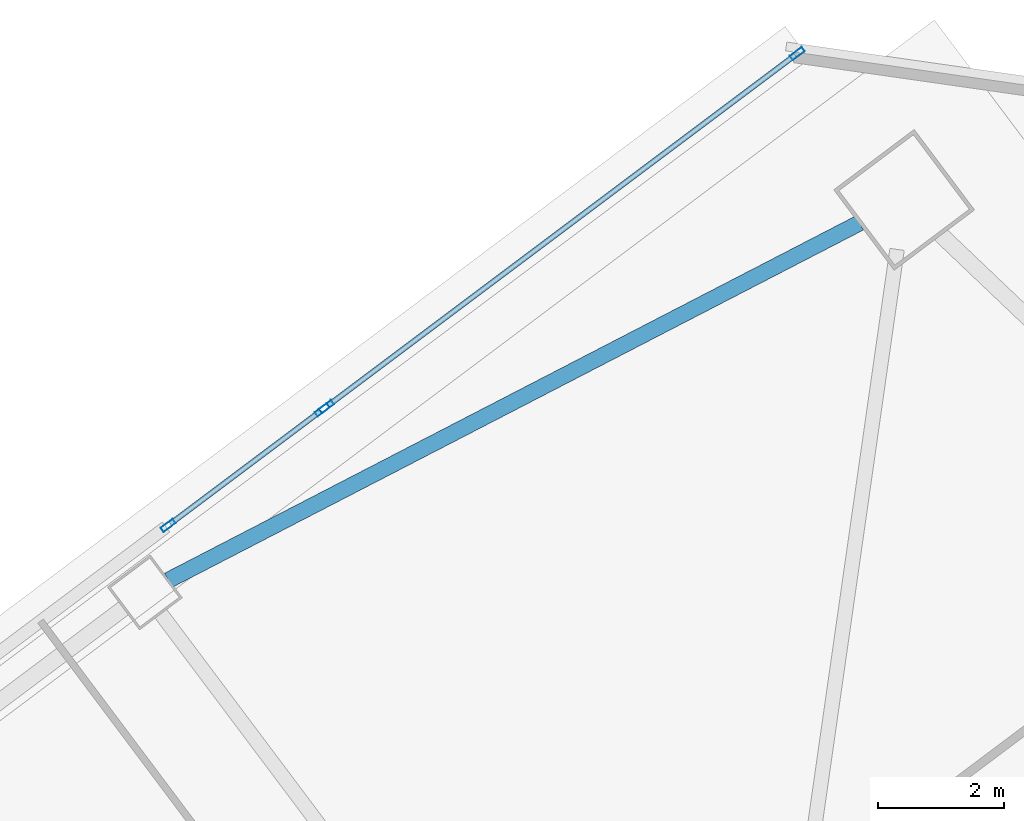
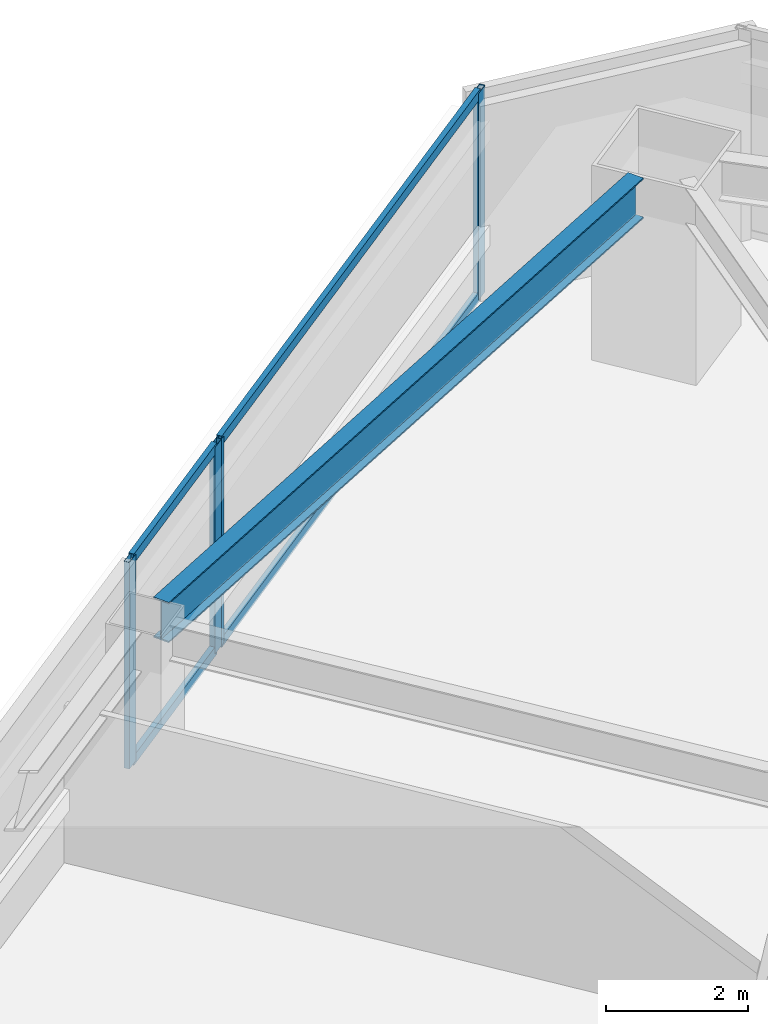
# One storey, part 37 of 62: 8 members, 1 beam, 2 elements without a shape of their own.
"""IFC4 building model written with IfcOpenShell, lengths in metres."""

from ifc_helpers import new_model, si_unit, direction, frame, origin, origin_2d, place, context, subcontext, project, spatial, hollow_rectangle, i_section, extrude, material, material_profile, profile_set, type_object, element, aggregate, save


model = new_model("IFC4")

# Units and contexts
model_context = context("Model", 3, precision=1e-05, world=origin(), true_north=direction((0.0, 1.0)))
body_context = subcontext(model_context, "Body", "Model", "MODEL_VIEW")
ifc_project = project(units=[si_unit("LENGTHUNIT", "METRE"), si_unit("AREAUNIT", "SQUARE_METRE"), si_unit("VOLUMEUNIT", "CUBIC_METRE"), si_unit("PLANEANGLEUNIT", "RADIAN"), si_unit("MASSUNIT", "GRAM", prefix="KILO")], contexts=[model_context])

# Site, building, storey
site_placement = place(None, origin())
site = spatial("IfcSite", under=ifc_project, at=site_placement, CompositionType="ELEMENT")
building_placement = place(site_placement, origin())
building = spatial("IfcBuilding", under=site, at=building_placement, Name="Tashvorn Skyway Center", CompositionType="ELEMENT")
storey_placement = place(building_placement, frame((0.0, 0.0, 28.14990234375)))
storey = spatial("IfcBuildingStorey", under=building, at=storey_placement, Name="L06", CompositionType="ELEMENT", Elevation=28.14990234375)

# Beam
ifc_material_1 = material(Name="Steel ASTM A992 Grade 50", Category="steel")
ifc_material_profile_1 = material_profile(ifc_material_1, i_section(OverallWidth=0.256103515625, OverallDepth=0.693115234375, WebThickness=0.014404296875, FlangeThickness=0.023681640625, at=origin_2d()), Name="W27X114")
ifc_profile_set_1 = profile_set([ifc_material_profile_1], Name="Steel ASTM A992 Grade 50")
beam_type = type_object("IfcBeamType", Name="BM-SPANDREL-W27X114", PredefinedType="SPANDREL", material=ifc_profile_set_1)
beam_placement = place(storey_placement, frame((117.0537109375, 57.954833984375, 3.003662109375), z_axis=(-0.888315637339, -0.459233413919, 0.0), x_axis=(0.459233413919, -0.888315637339, 0.0)))
element("IfcBeam", 1, at=beam_placement, inside=storey, type_object=beam_type, Name="Tower 2 L06 Spandrel Beam 07", PredefinedType="SPANDREL", context=body_context, shape_type="SweptSolid", body=[
    extrude(i_section(OverallWidth=0.256103515625, OverallDepth=0.693115234375, WebThickness=0.014404296875, FlangeThickness=0.023681640625, at=origin_2d()), origin(), (0.0, 0.0, 1.0), 12.37255859375),
])

# Curtain wall, members
ifc_material_2 = material(Name="Thermally broken bronze-anodized aluminium 6063-T6", Category="aluminium")
curtain_wall_type = type_object("IfcCurtainWallType", Name="CW-CW-Z1", PredefinedType="NOTDEFINED", material=ifc_material_2)
curtain_wall_1_placement = place(storey_placement, origin())
curtain_wall_1 = element("IfcCurtainWall", 2, at=curtain_wall_1_placement, inside=storey, type_object=curtain_wall_type, Name="Tower 2 L06 North Unitised Curtain Wall Glazing Group 3", PredefinedType="NOTDEFINED")
ifc_material_profile_2 = material_profile(ifc_material_2, hollow_rectangle(XDim=0.0849609375, YDim=0.239990234375, WallThickness=0.0048828125, at=origin_2d()), Name="ALU-MULL-85x240")
ifc_profile_set_2 = profile_set([ifc_material_profile_2], Name="Thermally broken bronze-anodized aluminium 6063-T6")
member_type_1 = type_object("IfcMemberType", Name="CWM-CW-Z1", PredefinedType="MULLION", material=ifc_profile_set_2)
member_1_placement = place(storey_placement, frame((106.060791015625, 53.1455078125, 0.0), z_axis=(0.0, 0.0, 1.0), x_axis=(-0.600005084776, 0.799996186392, 0.0)))
member_1 = element("IfcMember", 3, at=member_1_placement, type_object=member_type_1, Name="CW-Z1 mullion 1", PredefinedType="MULLION", context=body_context, shape_type="SweptSolid", body=[
    extrude(hollow_rectangle(XDim=0.0849609375, YDim=0.239990234375, WallThickness=0.0048828125, at=origin_2d()), origin(), (0.0, 0.0, 1.0), 3.550048828125),
])
member_2_placement = place(storey_placement, frame((108.510009765625, 54.982421875, 0.0), z_axis=(0.0, 0.0, 1.0), x_axis=(-0.600005084776, 0.799996186392, 0.0)))
member_2 = element("IfcMember", 4, at=member_2_placement, type_object=member_type_1, Name="CW-Z1 mullion 2", PredefinedType="MULLION", context=body_context, shape_type="SweptSolid", body=[
    extrude(hollow_rectangle(XDim=0.0849609375, YDim=0.239990234375, WallThickness=0.0048828125, at=origin_2d()), origin(), (0.0, 0.0, 1.0), 3.550048828125),
])

curtain_wall_2_placement = place(storey_placement, origin())
curtain_wall_2 = element("IfcCurtainWall", 5, at=curtain_wall_2_placement, inside=storey, type_object=curtain_wall_type, Name="Tower 2 L06 North Unitised Curtain Wall Glazing Group 4", PredefinedType="NOTDEFINED")
member_3_placement = place(storey_placement, frame((108.577880859375, 55.033447265625, 0.0), z_axis=(0.0, 0.0, 1.0), x_axis=(-0.600000000002, 0.799999999998, 0.0)))
member_3 = element("IfcMember", 6, at=member_3_placement, type_object=member_type_1, Name="CW-Z1 mullion 1", PredefinedType="MULLION", context=body_context, shape_type="SweptSolid", body=[
    extrude(hollow_rectangle(XDim=0.0849609375, YDim=0.239990234375, WallThickness=0.0048828125, at=origin_2d()), origin(), (0.0, 0.0, 1.0), 3.550048828125),
])
member_4_placement = place(storey_placement, frame((116.06201171875, 60.646484375, 0.0), z_axis=(0.0, 0.0, 1.0), x_axis=(-0.600000000002, 0.799999999998, 0.0)))
member_4 = element("IfcMember", 7, at=member_4_placement, type_object=member_type_1, Name="CW-Z1 mullion 2", PredefinedType="MULLION", context=body_context, shape_type="SweptSolid", body=[
    extrude(hollow_rectangle(XDim=0.0849609375, YDim=0.239990234375, WallThickness=0.0048828125, at=origin_2d()), origin(), (0.0, 0.0, 1.0), 3.550048828125),
])

# Member
ifc_material_profile_3 = material_profile(ifc_material_2, hollow_rectangle(XDim=0.0849609375, YDim=0.1650390625, WallThickness=0.0048828125, at=origin_2d()), Name="ALU-TRAN-85x165")
ifc_profile_set_3 = profile_set([ifc_material_profile_3], Name="Thermally broken bronze-anodized aluminium 6063-T6")
member_type_2 = type_object("IfcMemberType", Name="CWT-CW-Z1", PredefinedType="USERDEFINED", material=ifc_profile_set_3)
member_5_placement = place(storey_placement, frame((106.0947265625, 53.1708984375, 0.04248046875), z_axis=(0.799980315822, 0.600026244674, 0.0), x_axis=(-0.600026244674, 0.799980315822, 0.0)))
member_5 = element("IfcMember", 8, at=member_5_placement, type_object=member_type_2, Name="CW-Z1 transom 1.1", ObjectType="TRANSOM", PredefinedType="USERDEFINED", context=body_context, shape_type="SweptSolid", body=[
    extrude(hollow_rectangle(XDim=0.0849609375, YDim=0.1650390625, WallThickness=0.0048828125, at=origin_2d()), origin(), (0.0, 0.0, 1.0), 2.976806640625),
])

member_6_placement = place(storey_placement, frame((106.0947265625, 53.1708984375, 3.507568359375), z_axis=(0.799980315822, 0.600026244674, 0.0), x_axis=(-0.600026244674, 0.799980315822, 0.0)))
member_6 = element("IfcMember", 9, at=member_6_placement, type_object=member_type_2, Name="CW-Z1 transom 1.2", ObjectType="TRANSOM", PredefinedType="USERDEFINED", context=body_context, shape_type="SweptSolid", body=[
    extrude(hollow_rectangle(XDim=0.0849609375, YDim=0.1650390625, WallThickness=0.0048828125, at=origin_2d()), origin(), (0.0, 0.0, 1.0), 2.976806640625),
])

aggregate(curtain_wall_1, [member_1, member_2, member_5, member_6])

member_7_placement = place(storey_placement, frame((108.612060546875, 55.05908203125, 0.04248046875), z_axis=(0.8, 0.6, 0.0), x_axis=(-0.6, 0.8, 0.0)))
member_7 = element("IfcMember", 10, at=member_7_placement, type_object=member_type_2, Name="CW-Z1 transom 1.1", ObjectType="TRANSOM", PredefinedType="USERDEFINED", context=body_context, shape_type="SweptSolid", body=[
    extrude(hollow_rectangle(XDim=0.0849609375, YDim=0.1650390625, WallThickness=0.0048828125, at=origin_2d()), origin(), (0.0, 0.0, 1.0), 9.27001953125),
])

member_8_placement = place(storey_placement, frame((108.612060546875, 55.05908203125, 3.507568359375), z_axis=(0.8, 0.6, 0.0), x_axis=(-0.6, 0.8, 0.0)))
member_8 = element("IfcMember", 11, at=member_8_placement, type_object=member_type_2, Name="CW-Z1 transom 1.2", ObjectType="TRANSOM", PredefinedType="USERDEFINED", context=body_context, shape_type="SweptSolid", body=[
    extrude(hollow_rectangle(XDim=0.0849609375, YDim=0.1650390625, WallThickness=0.0048828125, at=origin_2d()), origin(), (0.0, 0.0, 1.0), 9.27001953125),
])

aggregate(curtain_wall_2, [member_3, member_4, member_7, member_8])

save(model, "model.ifc")
